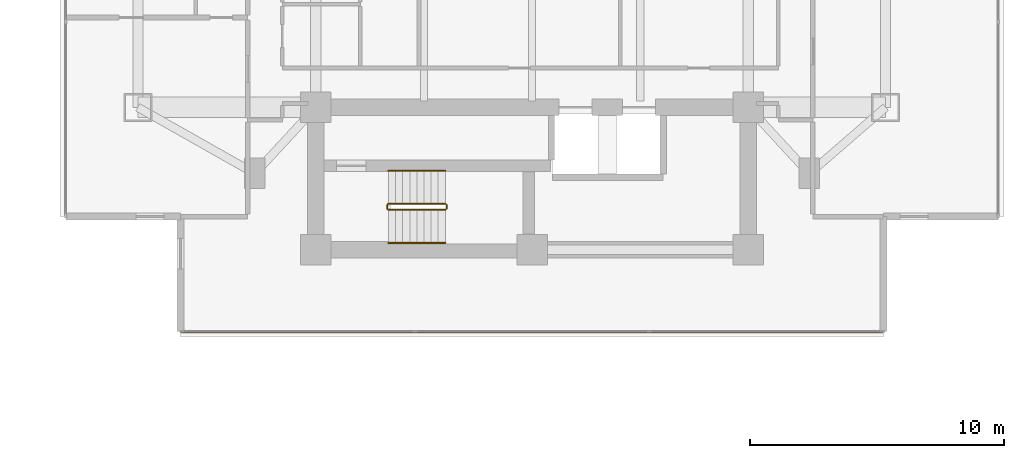
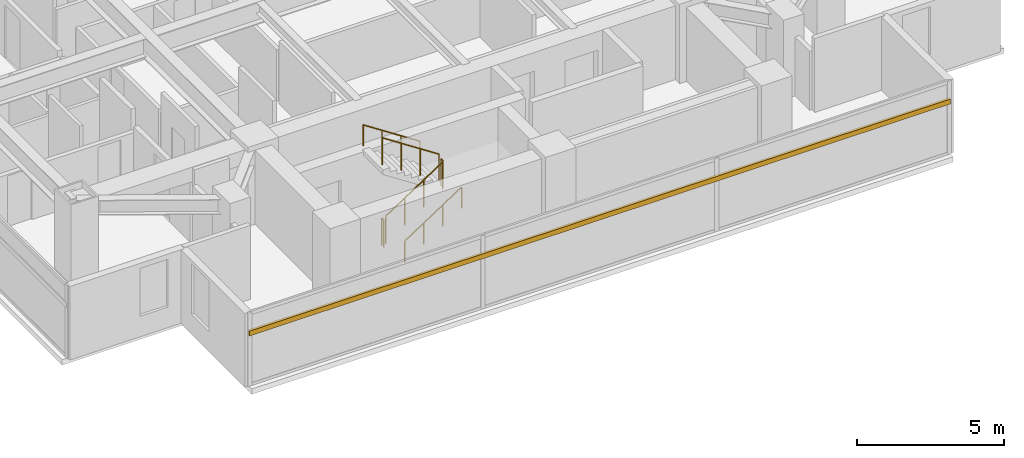
# One storey, part 23 of 25: 6 railings, 1 shading device.
"""IFC4 building model written with IfcOpenShell, lengths in metres."""

from ifc_helpers import new_model, si_unit, direction, frame, origin, origin_2d, place, context, subcontext, project, spatial, rectangle, circle, extrude, material, material_profile, profile_set, type_object, element, save


model = new_model("IFC4")

# Units and contexts
model_context = context("Model", 3, precision=1e-05, world=origin(), true_north=direction((0.0, 1.0)))
body_context = subcontext(model_context, "Body", "Model", "MODEL_VIEW")
ifc_project = project(units=[si_unit("LENGTHUNIT", "METRE"), si_unit("AREAUNIT", "SQUARE_METRE"), si_unit("VOLUMEUNIT", "CUBIC_METRE"), si_unit("PLANEANGLEUNIT", "RADIAN"), si_unit("MASSUNIT", "GRAM", prefix="KILO")], contexts=[model_context])

# Site, building, storey
site_placement = place(None, origin())
site = spatial("IfcSite", under=ifc_project, at=site_placement, CompositionType="ELEMENT")
building_placement = place(site_placement, origin())
building = spatial("IfcBuilding", under=site, at=building_placement, Name="Mirazonda Arch Towers", CompositionType="ELEMENT")
storey_placement = place(building_placement, frame((0.0, 0.0, 104.89990234375)))
storey = spatial("IfcBuildingStorey", under=building, at=storey_placement, Name="L29", CompositionType="ELEMENT", Elevation=104.89990234375)

# Shading device
ifc_material_1 = material(Name="Kiln-Fired Architectural Terracotta", Category="masonry")
ifc_material_profile = material_profile(ifc_material_1, rectangle(XDim=0.10009765625, YDim=0.199951171875, at=origin_2d()), Name="TERRA-BAG-100x200")
ifc_profile_set = profile_set([ifc_material_profile], Name="Kiln-Fired Architectural Terracotta")
shading_device_type = type_object("IfcShadingDeviceType", Name="BAGUETTE-2", PredefinedType="USERDEFINED", material=ifc_profile_set)
shading_device_placement = place(storey_placement, frame((90.316162109375, 11.986083984375, 2.203369140625), z_axis=(-1.0, 0.0, 0.0), x_axis=(0.0, -1.0, 0.0)))
element("IfcShadingDevice", 1, at=shading_device_placement, inside=storey, type_object=shading_device_type, Name="L29 Glazed Terracotta Sun-Screen Baguette CW-L29-T2-S", ObjectType="BAGUETTE", PredefinedType="USERDEFINED", context=body_context, shape_type="SweptSolid", body=[
    extrude(rectangle(XDim=0.10009765625, YDim=0.199951171875, at=origin_2d()), origin(), (0.0, 0.0, 1.0), 27.63232421875),
])

# Railings
ifc_material_2 = material(Name="Architectural Brushed Steel S355", Category="steel")
railing_type_1 = type_object("IfcRailingType", Name="GUARD-STAIR-1120", PredefinedType="GUARDRAIL", material=ifc_material_2)
railing_1_placement = place(storey_placement, frame((70.85009765625, 16.77001953125, 0.183349609375)))
element("IfcRailing", 2, at=railing_1_placement, inside=storey, type_object=railing_type_1, Name="L29 ST-T2S stair guard 1", PredefinedType="GUARDRAIL", context=body_context, shape_type="SweptSolid", body=[
    extrude(circle(Radius=0.02392578125, at=origin_2d()), frame((0.0, 0.0, 1.1259765625), z_axis=(0.836595146698, 0.0, 0.547821650285), x_axis=(0.0, 1.0, 0.0)), (0.0, 0.0, 1.0), 2.677490234375),
    extrude(circle(Radius=0.02099609375, at=origin_2d()), origin(), (0.0, 0.0, 1.0), 1.101806640625),
    extrude(circle(Radius=0.02099609375, at=origin_2d()), frame((0.74658203125, 0.0, 0.489013671875)), (0.0, 0.0, 1.0), 1.101806640625),
    extrude(circle(Radius=0.02099609375, at=origin_2d()), frame((1.493408203125, 0.0, 0.977783203125)), (0.0, 0.0, 1.0), 1.101806640625),
    extrude(circle(Radius=0.02099609375, at=origin_2d()), frame((2.239990234375, 0.0, 1.466796875)), (0.0, 0.0, 1.0), 1.101806640625),
])
railing_2_placement = place(storey_placement, frame((73.139892578125, 16.820068359375, 1.650146484375)))
element("IfcRailing", 3, at=railing_2_placement, inside=storey, type_object=railing_type_1, Name="L29 ST-T2S stair guard 2", PredefinedType="GUARDRAIL", context=body_context, shape_type="SweptSolid", body=[
    extrude(circle(Radius=0.02392578125, at=origin_2d()), frame((0.0, 0.0, 1.1259765625), z_axis=(0.0, 1.0, 0.0), x_axis=(-1.0, 0.0, 0.0)), (0.0, 0.0, 1.0), 0.139892578125),
    extrude(circle(Radius=0.02099609375, at=origin_2d()), origin(), (0.0, 0.0, 1.0), 1.101806640625),
    extrude(circle(Radius=0.02099609375, at=origin_2d()), frame((0.0, 0.139892578125, 0.0)), (0.0, 0.0, 1.0), 1.101806640625),
])
railing_3_placement = place(storey_placement, frame((73.090087890625, 17.010009765625, 1.83349609375)))
element("IfcRailing", 4, at=railing_3_placement, inside=storey, type_object=railing_type_1, Name="L29 ST-T2S stair guard 3", PredefinedType="GUARDRAIL", context=body_context, shape_type="SweptSolid", body=[
    extrude(circle(Radius=0.02392578125, at=origin_2d()), frame((0.0, 0.0, 1.1259765625), z_axis=(-0.836636935527, 0.0, 0.547757827979), x_axis=(0.0, -1.0, 0.0)), (0.0, 0.0, 1.0), 2.677490234375),
    extrude(circle(Radius=0.02099609375, at=origin_2d()), origin(), (0.0, 0.0, 1.0), 1.101806640625),
    extrude(circle(Radius=0.02099609375, at=origin_2d()), frame((-0.74658203125, 0.0, 0.48876953125)), (0.0, 0.0, 1.0), 1.101806640625),
    extrude(circle(Radius=0.02099609375, at=origin_2d()), frame((-1.493408203125, 0.0, 0.977783203125)), (0.0, 0.0, 1.0), 1.101806640625),
    extrude(circle(Radius=0.02099609375, at=origin_2d()), frame((-2.239990234375, 0.0, 1.466552734375)), (0.0, 0.0, 1.0), 1.101806640625),
])
railing_4_placement = place(storey_placement, frame((70.800048828125, 16.820068359375, 0.0)))
element("IfcRailing", 5, at=railing_4_placement, inside=storey, type_object=railing_type_1, Name="L29 ST-T2S stair guard 4", PredefinedType="GUARDRAIL", context=body_context, shape_type="SweptSolid", body=[
    extrude(circle(Radius=0.02392578125, at=origin_2d()), frame((0.0, 0.0, 1.1259765625), z_axis=(0.0, 1.0, 0.0), x_axis=(-1.0, 0.0, 0.0)), (0.0, 0.0, 1.0), 0.139892578125),
    extrude(circle(Radius=0.02099609375, at=origin_2d()), origin(), (0.0, 0.0, 1.0), 1.101806640625),
    extrude(circle(Radius=0.02099609375, at=origin_2d()), frame((0.0, 0.139892578125, 0.0)), (0.0, 0.0, 1.0), 1.101806640625),
])
railing_type_2 = type_object("IfcRailingType", Name="HANDRAIL-915", PredefinedType="HANDRAIL", material=ifc_material_2)
railing_5_placement = place(storey_placement, frame((70.85009765625, 15.469970703125, 0.183349609375)))
element("IfcRailing", 6, at=railing_5_placement, inside=storey, type_object=railing_type_2, Name="L29 ST-T2S stair handrail 1", PredefinedType="HANDRAIL", context=body_context, shape_type="SweptSolid", body=[
    extrude(circle(Radius=0.02392578125, at=origin_2d()), frame((0.0, 0.0, 0.8759765625), z_axis=(0.836595146698, 0.0, 0.547821650285), x_axis=(0.0, 1.0, 0.0)), (0.0, 0.0, 1.0), 2.677490234375),
    extrude(circle(Radius=0.02099609375, at=origin_2d()), origin(), (0.0, 0.0, 1.0), 0.851806640625),
    extrude(circle(Radius=0.02099609375, at=origin_2d()), frame((0.74658203125, 0.0, 0.489013671875)), (0.0, 0.0, 1.0), 0.851806640625),
    extrude(circle(Radius=0.02099609375, at=origin_2d()), frame((1.493408203125, 0.0, 0.977783203125)), (0.0, 0.0, 1.0), 0.851806640625),
    extrude(circle(Radius=0.02099609375, at=origin_2d()), frame((2.239990234375, 0.0, 1.466796875)), (0.0, 0.0, 1.0), 0.851806640625),
])
railing_6_placement = place(storey_placement, frame((73.090087890625, 18.31005859375, 1.83349609375)))
element("IfcRailing", 7, at=railing_6_placement, inside=storey, type_object=railing_type_2, Name="L29 ST-T2S stair handrail 2", PredefinedType="HANDRAIL", context=body_context, shape_type="SweptSolid", body=[
    extrude(circle(Radius=0.02392578125, at=origin_2d()), frame((0.0, 0.0, 0.8759765625), z_axis=(-0.836636935527, 0.0, 0.547757827979), x_axis=(0.0, -1.0, 0.0)), (0.0, 0.0, 1.0), 2.677490234375),
    extrude(circle(Radius=0.02099609375, at=origin_2d()), origin(), (0.0, 0.0, 1.0), 0.851806640625),
    extrude(circle(Radius=0.02099609375, at=origin_2d()), frame((-0.74658203125, 0.0, 0.48876953125)), (0.0, 0.0, 1.0), 0.851806640625),
    extrude(circle(Radius=0.02099609375, at=origin_2d()), frame((-1.493408203125, 0.0, 0.977783203125)), (0.0, 0.0, 1.0), 0.851806640625),
    extrude(circle(Radius=0.02099609375, at=origin_2d()), frame((-2.239990234375, 0.0, 1.466552734375)), (0.0, 0.0, 1.0), 0.851806640625),
])

save(model, "model.ifc")
